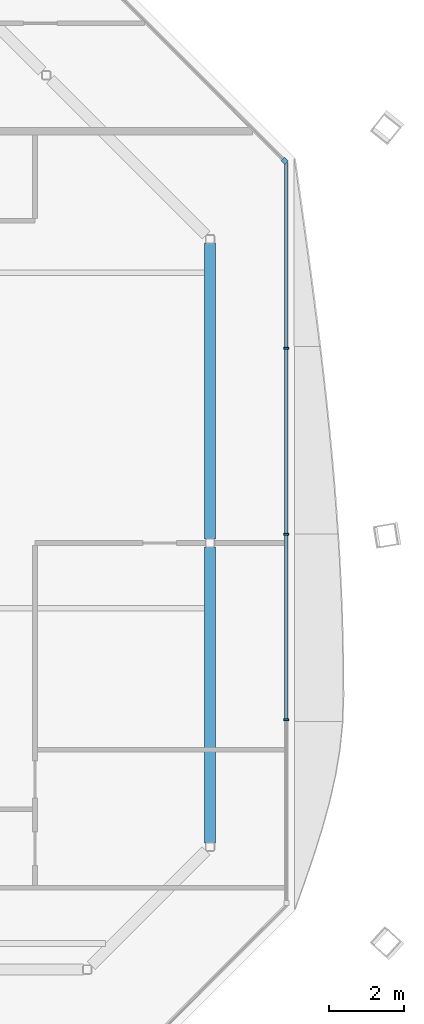
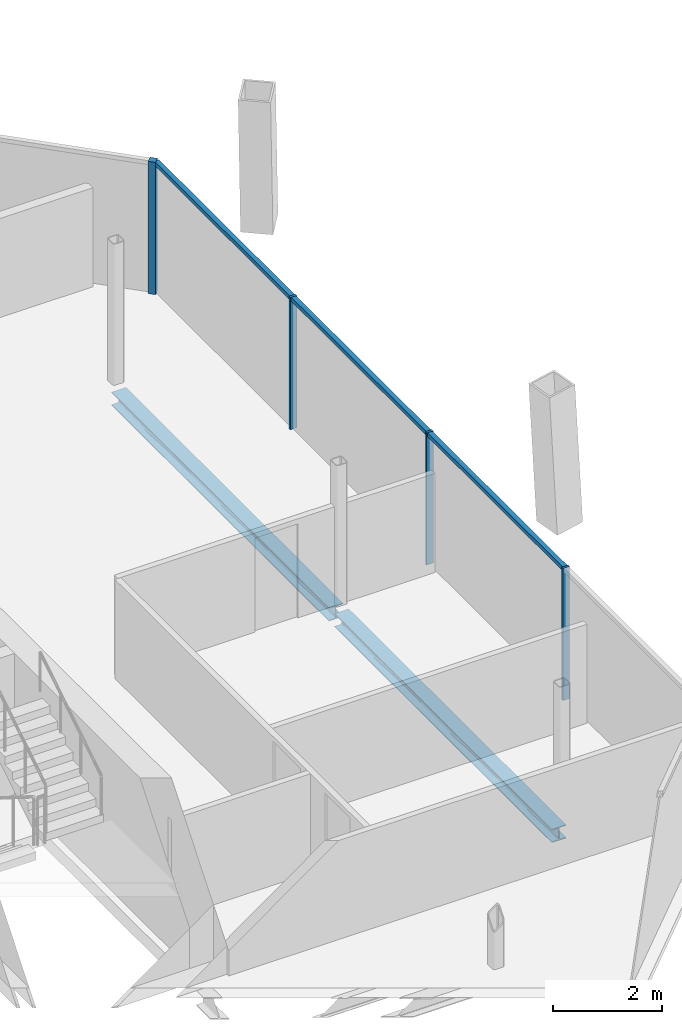
# One storey, part 7 of 14: 7 members, 2 beams, 2 elements without a shape of their own.
"""IFC4 building model written with IfcOpenShell, lengths in metres."""

from ifc_helpers import new_model, si_unit, direction, frame, origin, origin_2d, place, context, subcontext, project, spatial, rectangle, i_section, extrude, material, material_profile, profile_set, type_object, element, aggregate, save


model = new_model("IFC4")

# Units and contexts
model_context = context("Model", 3, precision=1e-05, world=origin(), true_north=direction((0.0, 1.0)))
body_context = subcontext(model_context, "Body", "Model", "MODEL_VIEW")
ifc_project = project(units=[si_unit("LENGTHUNIT", "METRE"), si_unit("AREAUNIT", "SQUARE_METRE"), si_unit("VOLUMEUNIT", "CUBIC_METRE"), si_unit("PLANEANGLEUNIT", "RADIAN"), si_unit("MASSUNIT", "GRAM", prefix="KILO")], contexts=[model_context])

# Site, building, storey
site_placement = place(None, origin())
site = spatial("IfcSite", under=ifc_project, at=site_placement, CompositionType="ELEMENT")
building_placement = place(site_placement, origin())
building = spatial("IfcBuilding", under=site, at=building_placement, Name="Tskaro Facet Tower", CompositionType="ELEMENT")
storey_placement = place(building_placement, frame((0.0, 0.0, 275.25)))
storey = spatial("IfcBuildingStorey", under=building, at=storey_placement, Name="L73", CompositionType="ELEMENT", Elevation=275.25)

# Curtain wall, member
ifc_material_1 = material(Name="Bronze anodised aluminium 6063-T6", Category="aluminium")
curtain_wall_type = type_object("IfcCurtainWallType", Name="Bronze residence curtain wall (FW3)", PredefinedType="NOTDEFINED", material=ifc_material_1)
curtain_wall_1_placement = place(storey_placement, origin())
curtain_wall_1 = element("IfcCurtainWall", 1, at=curtain_wall_1_placement, inside=storey, type_object=curtain_wall_type, Name="FW3 north-east facet L73", PredefinedType="NOTDEFINED")
ifc_material_profile_1 = material_profile(ifc_material_1, rectangle(XDim=0.139892578125, YDim=0.139892578125, at=origin_2d()), Name="Corner post 140x140")
ifc_profile_set_1 = profile_set([ifc_material_profile_1], Name="Bronze anodised aluminium 6063-T6")
member_type_1 = type_object("IfcMemberType", Name="FW3 bronze corner post 140x140", PredefinedType="MULLION", material=ifc_profile_set_1)
member_1_placement = place(storey_placement, frame((19.196533203125, 7.506591796875, 0.0), z_axis=(0.0, 0.0, 1.0), x_axis=(-0.707106781187, 0.707106781187, 0.0)))
member_1 = element("IfcMember", 2, at=member_1_placement, type_object=member_type_1, Name="FW3 north-east corner post", PredefinedType="MULLION", context=body_context, shape_type="SweptSolid", body=[
    extrude(rectangle(XDim=0.139892578125, YDim=0.139892578125, at=origin_2d()), origin(), (0.0, 0.0, 1.0), 2.949951171875),
])
aggregate(curtain_wall_1, [member_1])

# Curtain wall, members
curtain_wall_2_placement = place(storey_placement, origin())
curtain_wall_2 = element("IfcCurtainWall", 3, at=curtain_wall_2_placement, inside=storey, type_object=curtain_wall_type, Name="FW3 east facet L73", PredefinedType="NOTDEFINED")
ifc_material_profile_2 = material_profile(ifc_material_1, rectangle(XDim=0.050048828125, YDim=0.139892578125, at=origin_2d()), Name="Mullion 50x140")
ifc_profile_set_2 = profile_set([ifc_material_profile_2], Name="Bronze anodised aluminium 6063-T6")
member_type_2 = type_object("IfcMemberType", Name="FW3 bronze mullion 50x140", PredefinedType="MULLION", material=ifc_profile_set_2)
member_2_placement = place(storey_placement, frame((19.24609375, -7.4951171875, 0.0), z_axis=(0.0, 0.0, 1.0), x_axis=(0.0, 1.0, 0.0)))
member_2 = element("IfcMember", 4, at=member_2_placement, type_object=member_type_2, Name="FW3 east mullion 1", PredefinedType="MULLION", context=body_context, shape_type="SweptSolid", body=[
    extrude(rectangle(XDim=0.050048828125, YDim=0.139892578125, at=origin_2d()), origin(), (0.0, 0.0, 1.0), 2.949951171875),
])
member_3_placement = place(storey_placement, frame((19.24609375, -2.510986328125, 0.0), z_axis=(0.0, 0.0, 1.0), x_axis=(0.0, 1.0, 0.0)))
member_3 = element("IfcMember", 5, at=member_3_placement, type_object=member_type_2, Name="FW3 east mullion 2", PredefinedType="MULLION", context=body_context, shape_type="SweptSolid", body=[
    extrude(rectangle(XDim=0.050048828125, YDim=0.139892578125, at=origin_2d()), origin(), (0.0, 0.0, 1.0), 2.949951171875),
])
member_4_placement = place(storey_placement, frame((19.24609375, 2.472900390625, 0.0), z_axis=(0.0, 0.0, 1.0), x_axis=(0.0, 1.0, 0.0)))
member_4 = element("IfcMember", 6, at=member_4_placement, type_object=member_type_2, Name="FW3 east mullion 3", PredefinedType="MULLION", context=body_context, shape_type="SweptSolid", body=[
    extrude(rectangle(XDim=0.050048828125, YDim=0.139892578125, at=origin_2d()), origin(), (0.0, 0.0, 1.0), 2.949951171875),
])
ifc_material_profile_3 = material_profile(ifc_material_1, rectangle(XDim=0.10009765625, YDim=0.090087890625, at=origin_2d()), Name="Transom 100x90")
ifc_profile_set_3 = profile_set([ifc_material_profile_3], Name="Bronze anodised aluminium 6063-T6")
member_type_3 = type_object("IfcMemberType", Name="FW3 bronze transom 100x90", PredefinedType="USERDEFINED", material=ifc_profile_set_3)
member_5_placement = place(storey_placement, frame((19.24609375, -7.469970703125, 2.905029296875), z_axis=(0.0, 1.0, 0.0), x_axis=(-1.0, 0.0, 0.0)))
member_5 = element("IfcMember", 7, at=member_5_placement, type_object=member_type_3, Name="FW3 east transom 2.1", ObjectType="TRANSOM", PredefinedType="USERDEFINED", context=body_context, shape_type="SweptSolid", body=[
    extrude(rectangle(XDim=0.10009765625, YDim=0.090087890625, at=origin_2d()), origin(), (0.0, 0.0, 1.0), 4.93408203125),
])
member_6_placement = place(storey_placement, frame((19.24609375, -2.486083984375, 2.905029296875), z_axis=(0.0, 1.0, 0.0), x_axis=(-1.0, 0.0, 0.0)))
member_6 = element("IfcMember", 8, at=member_6_placement, type_object=member_type_3, Name="FW3 east transom 3.1", ObjectType="TRANSOM", PredefinedType="USERDEFINED", context=body_context, shape_type="SweptSolid", body=[
    extrude(rectangle(XDim=0.10009765625, YDim=0.090087890625, at=origin_2d()), origin(), (0.0, 0.0, 1.0), 4.93408203125),
])
member_7_placement = place(storey_placement, frame((19.24609375, 2.498046875, 2.905029296875), z_axis=(0.0, 1.0, 0.0), x_axis=(-1.0, 0.0, 0.0)))
member_7 = element("IfcMember", 9, at=member_7_placement, type_object=member_type_3, Name="FW3 east transom 4.1", ObjectType="TRANSOM", PredefinedType="USERDEFINED", context=body_context, shape_type="SweptSolid", body=[
    extrude(rectangle(XDim=0.10009765625, YDim=0.090087890625, at=origin_2d()), origin(), (0.0, 0.0, 1.0), 4.958984375),
])
aggregate(curtain_wall_2, [member_2, member_3, member_4, member_5, member_6, member_7])

# Beams
ifc_material_2 = material(Name="Steel S355J2", Category="steel")
ifc_material_profile_4 = material_profile(ifc_material_2, i_section(OverallWidth=0.300048828125, OverallDepth=0.300048828125, WebThickness=0.010986328125, FlangeThickness=0.01904296875, FilletRadius=0.027099609375, at=origin_2d()), Name="HE 300 B")
ifc_profile_set_4 = profile_set([ifc_material_profile_4], Name="Steel S355J2")
beam_type = type_object("IfcBeamType", Name="HE 300 B ring beam", PredefinedType="BEAM", material=ifc_profile_set_4)
for number, where, z_axis, x_axis, name in (
    (10, (17.199951171875, -10.798095703125, -0.2900390625), (0.0, 1.0, 0.0), (-1.0, 0.0, 0.0), "HE 300 B EB5-6"),
    (11, (17.199951171875, -2.64501953125, -0.2900390625), (0.0, 1.0, 0.0), (-1.0, 0.0, 0.0), "HE 300 B EB6-6"),
):
    element("IfcBeam", number, at=place(storey_placement, frame(where, z_axis=z_axis, x_axis=x_axis)), inside=storey, type_object=beam_type, Name=name, PredefinedType="BEAM", context=body_context, shape_type="SweptSolid", body=[
        extrude(i_section(OverallWidth=0.300048828125, OverallDepth=0.300048828125, WebThickness=0.010986328125, FlangeThickness=0.01904296875, FilletRadius=0.027099609375, at=origin_2d()), origin(), (0.0, 0.0, 1.0), 7.943115234375),
    ])

save(model, "model.ifc")
